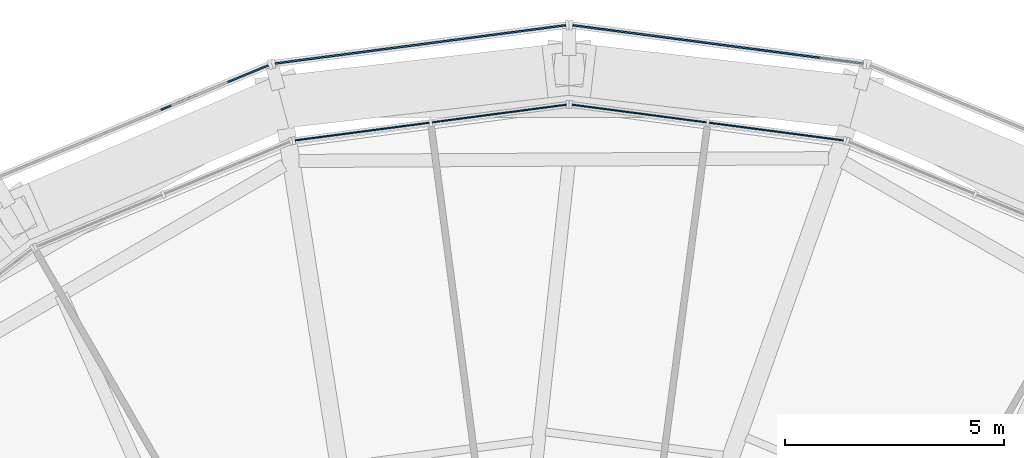
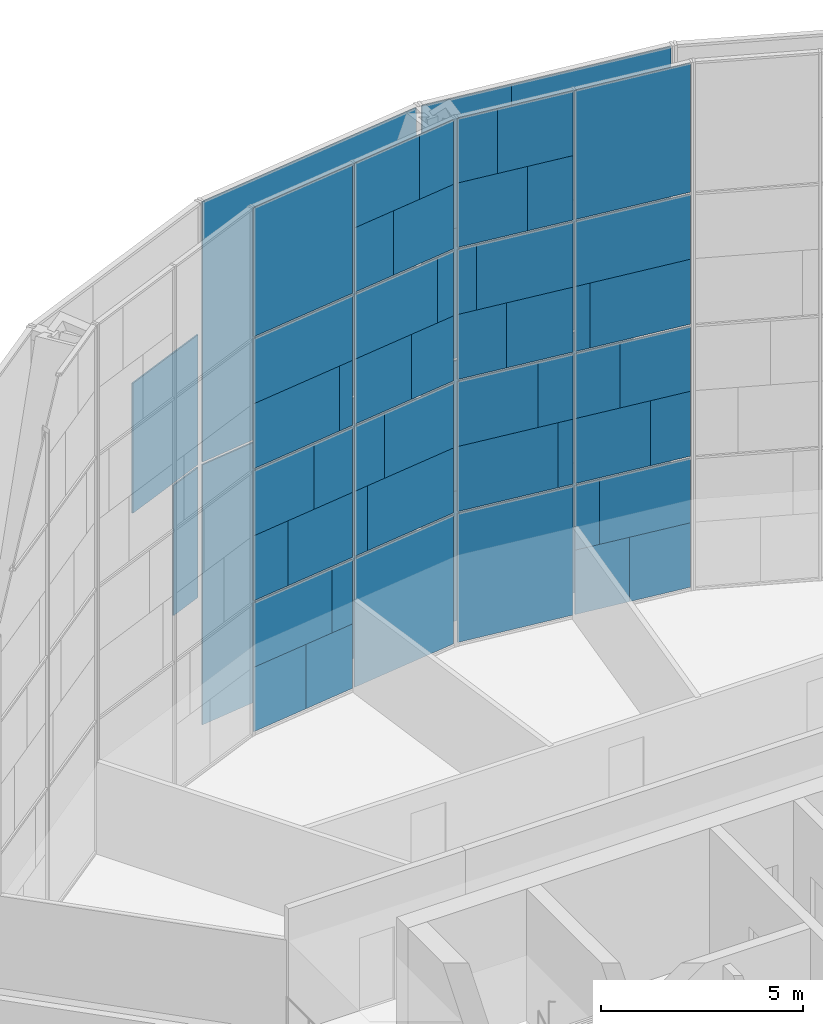
# One storey, part 22 of 28: 63 plates, 5 elements without a shape of their own.
"""IFC4 building model written with IfcOpenShell, lengths in metres."""

import ifcopenshell
import ifcopenshell.guid

model = None  # the IFC model being written
_history = None  # IfcOwnerHistory: only IFC2X3 demands one
_inside = {}  # id of a spatial element -> (the spatial element, [elements in it])
_under = {}  # id of a project, library or spatial element -> (it, [spatial elements below it])
_declared = {}  # id of a project -> (the project, [libraries it declares])
_typed = {}  # id of a type object -> (the type object, [elements of that type])
_made_of = {}  # id of a material, layer set ... -> (it, [elements and type objects made of it])


def new_model(schema):
    """Start an empty IFC model of exactly this schema.

    Asked for "IFC4X3", IfcOpenShell would pick the latest addendum, in which some entities
    have other attributes; the version numbers below select the first issue.
    IFC2X3 requires an IfcOwnerHistory on every rooted entity: one is made here for all.
    """
    global model, _history
    if schema == "IFC4X3":
        model = ifcopenshell.file(schema_version=(4, 3, 0, 0))
    else:
        model = ifcopenshell.file(schema=schema)
    _inside.clear()
    _under.clear()
    _declared.clear()
    _typed.clear()
    _made_of.clear()
    _history = None
    if model.schema == "IFC2X3":
        org = make("IfcOrganization", Name="unknown")
        user = make(
            "IfcPersonAndOrganization",
            ThePerson=make("IfcPerson", FamilyName="unknown"),
            TheOrganization=org,
        )
        app = make(
            "IfcApplication",
            ApplicationDeveloper=org,
            Version="unknown",
            ApplicationFullName="unknown",
            ApplicationIdentifier="unknown",
        )
        _history = make(
            "IfcOwnerHistory",
            OwningUser=user,
            OwningApplication=app,
            ChangeAction="ADDED",
            CreationDate=0,
        )
    return model


def make(cls, **values):
    """One entity of the class cls with the attributes given. An attribute that is None is left unset."""
    return model.create_entity(
        cls, **{name: value for name, value in values.items() if value is not None}
    )


def rooted(cls, **values):
    """An entity with a GlobalId (a new one), such as an element, a storey or a relation."""
    return make(cls, GlobalId=ifcopenshell.guid.new(), OwnerHistory=_history, **values)


def si_unit(unit_type, name, prefix=None):
    """IfcSIUnit, for example si_unit("LENGTHUNIT", "METRE", prefix="MILLI")."""
    return make("IfcSIUnit", UnitType=unit_type, Prefix=prefix, Name=name)


def assignment(units):
    """IfcUnitAssignment: the units of a project."""
    return None if units is None else make("IfcUnitAssignment", Units=units)


def point(xyz):
    """IfcCartesianPoint."""
    return None if xyz is None else make("IfcCartesianPoint", Coordinates=xyz)


def direction(xyz):
    """IfcDirection."""
    return None if xyz is None else make("IfcDirection", DirectionRatios=xyz)


def frame(location, z_axis=None, x_axis=None):
    """IfcAxis2Placement3D, a coordinate frame: its origin and axes. An axis left out is left unset."""
    return make(
        "IfcAxis2Placement3D",
        Location=point(location),
        Axis=direction(z_axis),
        RefDirection=direction(x_axis),
    )


def frame_2d(location, x_axis=None):
    """IfcAxis2Placement2D, a coordinate frame in the plane: its origin and x axis."""
    return make(
        "IfcAxis2Placement2D", Location=point(location), RefDirection=direction(x_axis)
    )


def origin():
    """The frame at (0, 0, 0) with its axes left unset."""
    return frame((0.0, 0.0, 0.0))


def origin_2d():
    """The frame at (0, 0) in the plane with its x axis left unset."""
    return frame_2d((0.0, 0.0))


def place(relative_to, where):
    """IfcLocalPlacement: puts the frame where relative to a parent placement (None: the world)."""
    return make(
        "IfcLocalPlacement", PlacementRelTo=relative_to, RelativePlacement=where
    )


def context(
    kind, dimensions, precision=None, world=None, true_north=None, identifier=None
):
    """IfcGeometricRepresentationContext, for example the 3D "Model" context."""
    return make(
        "IfcGeometricRepresentationContext",
        ContextIdentifier=identifier,
        ContextType=kind,
        CoordinateSpaceDimension=dimensions,
        Precision=precision,
        WorldCoordinateSystem=world,
        TrueNorth=true_north,
    )


def subcontext(parent, identifier, kind, view, scale=None):
    """IfcGeometricRepresentationSubContext, for example "Body" below "Model"."""
    return make(
        "IfcGeometricRepresentationSubContext",
        ContextIdentifier=identifier,
        ContextType=kind,
        ParentContext=parent,
        TargetScale=scale,
        TargetView=view,
    )


def project(units=None, contexts=None):
    """IfcProject with its units and contexts."""
    return rooted(
        "IfcProject",
        Name="project",
        RepresentationContexts=contexts,
        UnitsInContext=assignment(units),
    )


def spatial(cls, under=None, at=None, **own):
    """A site, building, storey or space (cls), placed at a placement, below another one or the project."""
    s = rooted(cls, ObjectPlacement=at, **own)
    if under is not None:
        _under.setdefault(under.id(), (under, []))[1].append(s)
    return s


def profile(cls, at=None, kind="AREA", **sizes):
    """A parametric profile (cls). Its sizes go by their IFC names, for example OverallWidth=200.0."""
    return make(cls, ProfileType=kind, Position=at, **sizes)


def rectangle(**sizes):
    """IfcRectangleProfileDef."""
    return profile("IfcRectangleProfileDef", **sizes)


def extrude(swept, where, along, depth):
    """IfcExtrudedAreaSolid: the profile swept, set in the frame where, extruded along a direction by depth."""
    return make(
        "IfcExtrudedAreaSolid",
        SweptArea=swept,
        Position=where,
        ExtrudedDirection=direction(along),
        Depth=depth,
    )


def shape(context_of_items, identifier, shape_type, items):
    """IfcShapeRepresentation: the items that make up one representation, for example the "Body"."""
    return make(
        "IfcShapeRepresentation",
        ContextOfItems=context_of_items,
        RepresentationIdentifier=identifier,
        RepresentationType=shape_type,
        Items=items,
    )


def material(Name=None, Category=None):
    """IfcMaterial."""
    return make("IfcMaterial", Name=Name, Category=Category)


def layer(
    of_material, thickness, ventilated=None, Name=None, Category=None, Priority=None
):
    """IfcMaterialLayer: one layer of a wall or slab, of a material (None: an air gap)."""
    return make(
        "IfcMaterialLayer",
        Material=of_material,
        LayerThickness=thickness,
        IsVentilated=ventilated,
        Name=Name,
        Category=Category,
        Priority=Priority,
    )


def layer_set(layers, Name=None):
    """IfcMaterialLayerSet."""
    return make("IfcMaterialLayerSet", MaterialLayers=layers, LayerSetName=Name)


def made_of(thing, what):
    """Note that an element or type object is made of a material, layer set ...; save() writes the relation."""
    if what is not None:
        _made_of.setdefault(what.id(), (what, []))[1].append(thing)
    return thing


def type_object(cls, material=None, **own):
    """A type object (cls), such as IfcWallType, which elements share."""
    return made_of(rooted(cls, **own), material)


def element(
    cls,
    number,
    at=None,
    inside=None,
    cuts=None,
    type_object=None,
    material=None,
    context=None,
    identifier="Body",
    shape_type=None,
    held_by="IfcProductDefinitionShape",
    body=None,
    shapes=None,
    **own,
):
    """One element of the class cls, such as IfcWall. Its Tag is "e" and its number.

    at: its placement. inside: the storey or other place that contains it. cuts: it is an
    opening in that element (IfcRelVoidsElement). A single representation is given by context,
    identifier, shape_type and body (its items); several are given by shapes. held_by: the class
    of the entity that holds the representations. save() writes the other relations.
    """
    e = rooted(cls, Tag="e%d" % number, ObjectPlacement=at, **own)
    if body is not None:
        shapes = [shape(context, identifier, shape_type, body)]
    if shapes is not None:
        e.Representation = make(held_by, Representations=shapes)
    if inside is not None:
        _inside.setdefault(inside.id(), (inside, []))[1].append(e)
    if cuts is not None:
        rooted(
            "IfcRelVoidsElement", RelatingBuildingElement=cuts, RelatedOpeningElement=e
        )
    if type_object is not None:
        _typed.setdefault(type_object.id(), (type_object, []))[1].append(e)
    return made_of(e, material)


def aggregate(whole, parts):
    """IfcRelAggregates: a whole, such as a stair, and the parts it consists of."""
    return rooted("IfcRelAggregates", RelatingObject=whole, RelatedObjects=parts)


def save(model, path):
    """Write the relations noted so far, then the file.

    IfcRelAggregates (storeys below a building ...), IfcRelContainedInSpatialStructure (elements
    in a storey), IfcRelDefinesByType, IfcRelAssociatesMaterial and IfcRelDeclares: one each for
    every whole, place, type object, material and project.
    """
    for whole, parts in _under.values():
        aggregate(whole, parts)
    for where, things in _inside.values():
        rooted(
            "IfcRelContainedInSpatialStructure",
            RelatedElements=things,
            RelatingStructure=where,
        )
    for kind, things in _typed.values():
        rooted("IfcRelDefinesByType", RelatedObjects=things, RelatingType=kind)
    for what, things in _made_of.values():
        rooted("IfcRelAssociatesMaterial", RelatedObjects=things, RelatingMaterial=what)
    for by, libraries in _declared.values():
        rooted("IfcRelDeclares", RelatingContext=by, RelatedDefinitions=libraries)
    model.write(path)


model = new_model("IFC4")

# Units and contexts
model_context = context("Model", 3, precision=1e-05, world=origin(), true_north=direction((0.0, 1.0)))
body_context = subcontext(model_context, "Body", "Model", "MODEL_VIEW")
ifc_project = project(units=[si_unit("LENGTHUNIT", "METRE"), si_unit("AREAUNIT", "SQUARE_METRE"), si_unit("VOLUMEUNIT", "CUBIC_METRE"), si_unit("PLANEANGLEUNIT", "RADIAN"), si_unit("MASSUNIT", "GRAM", prefix="KILO")], contexts=[model_context])

# Site, building, storey
site_placement = place(None, origin())
site = spatial("IfcSite", under=ifc_project, at=site_placement, CompositionType="ELEMENT")
building_placement = place(site_placement, origin())
building = spatial("IfcBuilding", under=site, at=building_placement, Name="Golbaran Civic Tower", CompositionType="ELEMENT")
storey_placement = place(building_placement, frame((0.0, 0.0, 134.0)))
storey = spatial("IfcBuildingStorey", under=building, at=storey_placement, Name="L32", CompositionType="ELEMENT", Elevation=134.0)

# Curtain wall, plates
ifc_material_1 = material(Name="Aluminium and glass", Category="aluminium")
curtain_wall_type_1 = type_object("IfcCurtainWallType", Name="INNER SKIN CURTAIN WALL", PredefinedType="NOTDEFINED", material=ifc_material_1)
curtain_wall_1_placement = place(storey_placement, origin())
curtain_wall_1 = element("IfcCurtainWall", 1, at=curtain_wall_1_placement, inside=storey, type_object=curtain_wall_type_1, Name="Inner skin L32 facet 6 CW1", ObjectType="INNER SKIN", PredefinedType="USERDEFINED")
ifc_material_2 = material(Name="Clear insulating glass", Category="glass")
ifc_layer_1 = layer(ifc_material_2, 0.031982421875, Name="Clear insulating glass")
ifc_layer_set_1 = layer_set([ifc_layer_1], Name="Clear insulating glass")
plate_type_1 = type_object("IfcPlateType", Name="INNER SKIN CURTAIN WALL GLAZED PANEL", PredefinedType="CURTAIN_PANEL", material=ifc_layer_set_1)
plate_1_placement = place(storey_placement, frame((3.91259765625, 23.909912109375, 0.06494140625), z_axis=(0.0, 0.0, 1.0), x_axis=(-0.991444861372, 0.130526192237, 0.0)))
plate_1 = element("IfcPlate", 2, at=plate_1_placement, type_object=plate_type_1, Name="CW1 panel 1.1 part 2", PredefinedType="CURTAIN_PANEL", context=body_context, shape_type="SweptSolid", body=[
    extrude(rectangle(XDim=1.45166015625, YDim=0.031982421875, at=origin_2d()), origin(), (0.0, 0.0, 1.0), 1.951171875),
])
plate_2_placement = place(storey_placement, frame((3.513671875, 23.96240234375, 2.016357421875), z_axis=(0.0, 0.0, 1.0), x_axis=(-0.991444861372, 0.130526192237, 0.0)))
plate_2 = element("IfcPlate", 3, at=plate_2_placement, type_object=plate_type_1, Name="CW1 panel 1.1 part 4", PredefinedType="CURTAIN_PANEL", context=body_context, shape_type="SweptSolid", body=[
    extrude(rectangle(XDim=0.646484375, YDim=0.031982421875, at=origin_2d()), origin(), (0.0, 0.0, 1.0), 1.951171875),
])
plate_3_placement = place(storey_placement, frame((5.725341796875, 23.671142578125, 4.03271484375), z_axis=(0.0, 0.0, 1.0), x_axis=(-0.991444861372, 0.130526192237, 0.0)))
plate_3 = element("IfcPlate", 4, at=plate_3_placement, type_object=plate_type_1, Name="CW1 panel 1.2 part 1", PredefinedType="CURTAIN_PANEL", context=body_context, shape_type="SweptSolid", body=[
    extrude(rectangle(XDim=1.072998046875, YDim=0.031982421875, at=origin_2d()), origin(), (0.0, 0.0, 1.0), 1.967529296875),
])
plate_4_placement = place(storey_placement, frame((5.32275390625, 23.724365234375, 6.0), z_axis=(0.0, 0.0, 1.0), x_axis=(-0.991444861372, 0.130526192237, 0.0)))
plate_4 = element("IfcPlate", 5, at=plate_4_placement, type_object=plate_type_1, Name="CW1 panel 1.2 part 3", PredefinedType="CURTAIN_PANEL", context=body_context, shape_type="SweptSolid", body=[
    extrude(rectangle(XDim=1.885009765625, YDim=0.031982421875, at=origin_2d()), origin(), (0.0, 0.0, 1.0), 1.967529296875),
])
plate_5_placement = place(storey_placement, frame((4.92431640625, 23.776611328125, 8.03271484375), z_axis=(0.0, 0.0, 1.0), x_axis=(-0.991444861372, 0.130526192237, 0.0)))
plate_5 = element("IfcPlate", 6, at=plate_5_placement, type_object=plate_type_1, Name="CW1 panel 1.3 part 1", PredefinedType="CURTAIN_PANEL", context=body_context, shape_type="SweptSolid", body=[
    extrude(rectangle(XDim=2.68896484375, YDim=0.031982421875, at=origin_2d()), origin(), (0.0, 0.0, 1.0), 1.967529296875),
])
plate_6_placement = place(storey_placement, frame((4.72509765625, 23.802978515625, 10.0), z_axis=(0.0, 0.0, 1.0), x_axis=(-0.991444861372, 0.130526192237, 0.0)))
plate_6 = element("IfcPlate", 7, at=plate_6_placement, type_object=plate_type_1, Name="CW1 panel 1.3 part 3", PredefinedType="CURTAIN_PANEL", context=body_context, shape_type="SweptSolid", body=[
    extrude(rectangle(XDim=3.090576171875, YDim=0.031982421875, at=origin_2d()), origin(), (0.0, 0.0, 1.0), 1.967529296875),
])
plate_7_placement = place(storey_placement, frame((4.72509765625, 23.802978515625, 12.0322265625), z_axis=(0.0, 0.0, 1.0), x_axis=(-0.991444861372, 0.130526192237, 0.0)))
plate_7 = element("IfcPlate", 8, at=plate_7_placement, type_object=plate_type_1, Name="CW1 panel 1.4", PredefinedType="CURTAIN_PANEL", context=body_context, shape_type="SweptSolid", body=[
    extrude(rectangle(XDim=3.090576171875, YDim=0.031982421875, at=origin_2d()), origin(), (0.0, 0.0, 1.0), 3.902587890625),
])
plate_8_placement = place(storey_placement, frame((1.596435546875, 24.21484375, 0.06494140625), z_axis=(0.0, 0.0, 1.0), x_axis=(-0.991444861372, 0.130526192237, 0.0)))
plate_8 = element("IfcPlate", 9, at=plate_8_placement, type_object=plate_type_1, Name="CW1 panel 2.1", PredefinedType="CURTAIN_PANEL", context=body_context, shape_type="SweptSolid", body=[
    extrude(rectangle(XDim=3.090576171875, YDim=0.031982421875, at=origin_2d()), origin(), (0.0, 0.0, 1.0), 3.902587890625),
])
plate_9_placement = place(storey_placement, frame((1.397705078125, 24.240966796875, 4.03271484375), z_axis=(0.0, 0.0, 1.0), x_axis=(-0.991444861372, 0.130526192237, 0.0)))
plate_9 = element("IfcPlate", 10, at=plate_9_placement, type_object=plate_type_1, Name="CW1 panel 2.2 part 2", PredefinedType="CURTAIN_PANEL", context=body_context, shape_type="SweptSolid", body=[
    extrude(rectangle(XDim=2.689697265625, YDim=0.031982421875, at=origin_2d()), origin(), (0.0, 0.0, 1.0), 1.967529296875),
])
plate_10_placement = place(storey_placement, frame((1.131103515625, 24.276123046875, 6.0), z_axis=(0.0, 0.0, 1.0), x_axis=(-0.991444861372, 0.130526192237, 0.0)))
plate_10 = element("IfcPlate", 11, at=plate_10_placement, type_object=plate_type_1, Name="CW1 panel 2.2 part 4", PredefinedType="CURTAIN_PANEL", context=body_context, shape_type="SweptSolid", body=[
    extrude(rectangle(XDim=2.151611328125, YDim=0.031982421875, at=origin_2d()), origin(), (0.0, 0.0, 1.0), 1.967529296875),
])
plate_11_placement = place(storey_placement, frame((0.715087890625, 24.330810546875, 8.03271484375), z_axis=(0.0, 0.0, 1.0), x_axis=(-0.991444861372, 0.130526192237, 0.0)))
plate_11 = element("IfcPlate", 12, at=plate_11_placement, type_object=plate_type_1, Name="CW1 panel 2.3 part 2", PredefinedType="CURTAIN_PANEL", context=body_context, shape_type="SweptSolid", body=[
    extrude(rectangle(XDim=1.3125, YDim=0.031982421875, at=origin_2d()), origin(), (0.0, 0.0, 1.0), 1.967529296875),
])
plate_12_placement = place(storey_placement, frame((0.31298828125, 24.3837890625, 10.0), z_axis=(0.0, 0.0, 1.0), x_axis=(-0.991444861372, 0.130526192237, 0.0)))
plate_12 = element("IfcPlate", 13, at=plate_12_placement, type_object=plate_type_1, Name="CW1 panel 2.3 part 4", PredefinedType="CURTAIN_PANEL", context=body_context, shape_type="SweptSolid", body=[
    extrude(rectangle(XDim=0.501708984375, YDim=0.031982421875, at=origin_2d()), origin(), (0.0, 0.0, 1.0), 1.967529296875),
])
plate_13_placement = place(storey_placement, frame((2.52490234375, 24.092529296875, 12.032470703125), z_axis=(0.0, 0.0, 1.0), x_axis=(-0.991444861372, 0.130526192237, 0.0)))
plate_13 = element("IfcPlate", 14, at=plate_13_placement, type_object=plate_type_1, Name="CW1 panel 2.4 part 1", PredefinedType="CURTAIN_PANEL", context=body_context, shape_type="SweptSolid", body=[
    extrude(rectangle(XDim=1.218017578125, YDim=0.031982421875, at=origin_2d()), origin(), (0.0, 0.0, 1.0), 1.951171875),
])
plate_14_placement = place(storey_placement, frame((2.125732421875, 24.14501953125, 13.98388671875), z_axis=(0.0, 0.0, 1.0), x_axis=(-0.991444861372, 0.130526192237, 0.0)))
plate_14 = element("IfcPlate", 15, at=plate_14_placement, type_object=plate_type_1, Name="CW1 panel 2.4 part 3", PredefinedType="CURTAIN_PANEL", context=body_context, shape_type="SweptSolid", body=[
    extrude(rectangle(XDim=2.02294921875, YDim=0.031982421875, at=origin_2d()), origin(), (0.0, 0.0, 1.0), 1.951171875),
])

curtain_wall_2_placement = place(storey_placement, origin())
curtain_wall_2 = element("IfcCurtainWall", 16, at=curtain_wall_2_placement, inside=storey, type_object=curtain_wall_type_1, Name="Inner skin L32 facet 7 CW1", ObjectType="INNER SKIN", PredefinedType="USERDEFINED")
plate_15_placement = place(storey_placement, frame((-1.596435546875, 24.21484375, 0.06494140625), z_axis=(0.0, 0.0, 1.0), x_axis=(-0.991444861372, -0.130526192237, 0.0)))
plate_15 = element("IfcPlate", 17, at=plate_15_placement, type_object=plate_type_1, Name="CW1 panel 1.1", PredefinedType="CURTAIN_PANEL", context=body_context, shape_type="SweptSolid", body=[
    extrude(rectangle(XDim=3.090576171875, YDim=0.031982421875, at=origin_2d()), origin(), (0.0, 0.0, 1.0), 3.902587890625),
])
plate_16_placement = place(storey_placement, frame((-1.3974609375, 24.240966796875, 4.03271484375), z_axis=(0.0, 0.0, 1.0), x_axis=(-0.991444861372, -0.130526192237, 0.0)))
plate_16 = element("IfcPlate", 18, at=plate_16_placement, type_object=plate_type_1, Name="CW1 panel 1.2 part 1", PredefinedType="CURTAIN_PANEL", context=body_context, shape_type="SweptSolid", body=[
    extrude(rectangle(XDim=2.68896484375, YDim=0.031982421875, at=origin_2d()), origin(), (0.0, 0.0, 1.0), 1.967529296875),
])
plate_17_placement = place(storey_placement, frame((-1.130859375, 24.276123046875, 6.0), z_axis=(0.0, 0.0, 1.0), x_axis=(-0.991444861372, -0.130526192237, 0.0)))
plate_17 = element("IfcPlate", 19, at=plate_17_placement, type_object=plate_type_1, Name="CW1 panel 1.2 part 3", PredefinedType="CURTAIN_PANEL", context=body_context, shape_type="SweptSolid", body=[
    extrude(rectangle(XDim=2.15087890625, YDim=0.031982421875, at=origin_2d()), origin(), (0.0, 0.0, 1.0), 1.967529296875),
])
plate_18_placement = place(storey_placement, frame((-0.71533203125, 24.330810546875, 8.03271484375), z_axis=(0.0, 0.0, 1.0), x_axis=(-0.991444861372, -0.130526192237, 0.0)))
plate_18 = element("IfcPlate", 20, at=plate_18_placement, type_object=plate_type_1, Name="CW1 panel 1.3 part 1", PredefinedType="CURTAIN_PANEL", context=body_context, shape_type="SweptSolid", body=[
    extrude(rectangle(XDim=1.31298828125, YDim=0.031982421875, at=origin_2d()), origin(), (0.0, 0.0, 1.0), 1.967529296875),
])
plate_19_placement = place(storey_placement, frame((-0.312744140625, 24.3837890625, 10.0), z_axis=(0.0, 0.0, 1.0), x_axis=(-0.991444861372, -0.130526192237, 0.0)))
plate_19 = element("IfcPlate", 21, at=plate_19_placement, type_object=plate_type_1, Name="CW1 panel 1.3 part 3", PredefinedType="CURTAIN_PANEL", context=body_context, shape_type="SweptSolid", body=[
    extrude(rectangle(XDim=0.5009765625, YDim=0.031982421875, at=origin_2d()), origin(), (0.0, 0.0, 1.0), 1.967529296875),
])
plate_20_placement = place(storey_placement, frame((-2.5244140625, 24.092529296875, 12.032470703125), z_axis=(0.0, 0.0, 1.0), x_axis=(-0.991444861372, -0.130526192237, 0.0)))
plate_20 = element("IfcPlate", 22, at=plate_20_placement, type_object=plate_type_1, Name="CW1 panel 1.4 part 2", PredefinedType="CURTAIN_PANEL", context=body_context, shape_type="SweptSolid", body=[
    extrude(rectangle(XDim=1.218505859375, YDim=0.031982421875, at=origin_2d()), origin(), (0.0, 0.0, 1.0), 1.951171875),
])
plate_21_placement = place(storey_placement, frame((-2.12548828125, 24.145263671875, 13.98388671875), z_axis=(0.0, 0.0, 1.0), x_axis=(-0.991444861372, -0.130526192237, 0.0)))
plate_21 = element("IfcPlate", 23, at=plate_21_placement, type_object=plate_type_1, Name="CW1 panel 1.4 part 4", PredefinedType="CURTAIN_PANEL", context=body_context, shape_type="SweptSolid", body=[
    extrude(rectangle(XDim=2.023681640625, YDim=0.031982421875, at=origin_2d()), origin(), (0.0, 0.0, 1.0), 1.951171875),
])
plate_22_placement = place(storey_placement, frame((-3.912353515625, 23.909912109375, 0.06494140625), z_axis=(0.0, 0.0, 1.0), x_axis=(-0.991444861372, -0.130526192237, 0.0)))
plate_22 = element("IfcPlate", 24, at=plate_22_placement, type_object=plate_type_1, Name="CW1 panel 2.1 part 1", PredefinedType="CURTAIN_PANEL", context=body_context, shape_type="SweptSolid", body=[
    extrude(rectangle(XDim=1.450927734375, YDim=0.031982421875, at=origin_2d()), origin(), (0.0, 0.0, 1.0), 1.951171875),
])
plate_23_placement = place(storey_placement, frame((-3.51318359375, 23.96240234375, 2.016357421875), z_axis=(0.0, 0.0, 1.0), x_axis=(-0.991444861372, -0.130526192237, 0.0)))
plate_23 = element("IfcPlate", 25, at=plate_23_placement, type_object=plate_type_1, Name="CW1 panel 2.1 part 3", PredefinedType="CURTAIN_PANEL", context=body_context, shape_type="SweptSolid", body=[
    extrude(rectangle(XDim=0.64599609375, YDim=0.031982421875, at=origin_2d()), origin(), (0.0, 0.0, 1.0), 1.951171875),
])
plate_24_placement = place(storey_placement, frame((-5.72509765625, 23.67138671875, 4.03271484375), z_axis=(0.0, 0.0, 1.0), x_axis=(-0.991444861372, -0.130526192237, 0.0)))
plate_24 = element("IfcPlate", 26, at=plate_24_placement, type_object=plate_type_1, Name="CW1 panel 2.2 part 2", PredefinedType="CURTAIN_PANEL", context=body_context, shape_type="SweptSolid", body=[
    extrude(rectangle(XDim=1.073486328125, YDim=0.031982421875, at=origin_2d()), origin(), (0.0, 0.0, 1.0), 1.967529296875),
])
plate_25_placement = place(storey_placement, frame((-5.322998046875, 23.72412109375, 6.0), z_axis=(0.0, 0.0, 1.0), x_axis=(-0.991444861372, -0.130526192237, 0.0)))
plate_25 = element("IfcPlate", 27, at=plate_25_placement, type_object=plate_type_1, Name="CW1 panel 2.2 part 4", PredefinedType="CURTAIN_PANEL", context=body_context, shape_type="SweptSolid", body=[
    extrude(rectangle(XDim=1.884521484375, YDim=0.031982421875, at=origin_2d()), origin(), (0.0, 0.0, 1.0), 1.967529296875),
])
plate_26_placement = place(storey_placement, frame((-4.923828125, 23.77685546875, 8.03271484375), z_axis=(0.0, 0.0, 1.0), x_axis=(-0.991444861372, -0.130526192237, 0.0)))
plate_26 = element("IfcPlate", 28, at=plate_26_placement, type_object=plate_type_1, Name="CW1 panel 2.3 part 2", PredefinedType="CURTAIN_PANEL", context=body_context, shape_type="SweptSolid", body=[
    extrude(rectangle(XDim=2.689697265625, YDim=0.031982421875, at=origin_2d()), origin(), (0.0, 0.0, 1.0), 1.967529296875),
])
plate_27_placement = place(storey_placement, frame((-4.72509765625, 23.802978515625, 10.0), z_axis=(0.0, 0.0, 1.0), x_axis=(-0.991444861372, -0.130526192237, 0.0)))
plate_27 = element("IfcPlate", 29, at=plate_27_placement, type_object=plate_type_1, Name="CW1 panel 2.3 part 3", PredefinedType="CURTAIN_PANEL", context=body_context, shape_type="SweptSolid", body=[
    extrude(rectangle(XDim=3.090576171875, YDim=0.031982421875, at=origin_2d()), origin(), (0.0, 0.0, 1.0), 1.967529296875),
])
plate_28_placement = place(storey_placement, frame((-4.72509765625, 23.802978515625, 12.0322265625), z_axis=(0.0, 0.0, 1.0), x_axis=(-0.991444861372, -0.130526192237, 0.0)))
plate_28 = element("IfcPlate", 30, at=plate_28_placement, type_object=plate_type_1, Name="CW1 panel 2.4", PredefinedType="CURTAIN_PANEL", context=body_context, shape_type="SweptSolid", body=[
    extrude(rectangle(XDim=3.090576171875, YDim=0.031982421875, at=origin_2d()), origin(), (0.0, 0.0, 1.0), 3.902587890625),
])

# Plate
ifc_material_3 = material(Name="Aluminium faced opaque infill panel", Category="aluminium")
ifc_layer_2 = layer(ifc_material_3, 0.031982421875, Name="Aluminium faced opaque infill panel")
ifc_layer_set_2 = layer_set([ifc_layer_2], Name="Aluminium faced opaque infill panel")
plate_type_2 = type_object("IfcPlateType", Name="INNER SKIN CURTAIN WALL OPAQUE INFILL PANEL", PredefinedType="CURTAIN_PANEL", material=ifc_layer_set_2)
plate_29_placement = place(storey_placement, frame((5.44482421875, 23.708251953125, 0.06494140625), z_axis=(0.0, 0.0, 1.0), x_axis=(-0.991444861372, 0.130526192237, 0.0)))
plate_29 = element("IfcPlate", 31, at=plate_29_placement, type_object=plate_type_2, Name="CW1 infill panel 1.1 part 1", PredefinedType="CURTAIN_PANEL", context=body_context, shape_type="SweptSolid", body=[
    extrude(rectangle(XDim=1.638916015625, YDim=0.031982421875, at=origin_2d()), origin(), (0.0, 0.0, 1.0), 1.951171875),
])

plate_30_placement = place(storey_placement, frame((5.045654296875, 23.7607421875, 2.016357421875), z_axis=(0.0, 0.0, 1.0), x_axis=(-0.991444861372, 0.130526192237, 0.0)))
plate_30 = element("IfcPlate", 32, at=plate_30_placement, type_object=plate_type_2, Name="CW1 infill panel 1.1 part 3", PredefinedType="CURTAIN_PANEL", context=body_context, shape_type="SweptSolid", body=[
    extrude(rectangle(XDim=2.444091796875, YDim=0.031982421875, at=origin_2d()), origin(), (0.0, 0.0, 1.0), 1.951171875),
])

plate_31_placement = place(storey_placement, frame((4.193115234375, 23.873046875, 4.03271484375), z_axis=(0.0, 0.0, 1.0), x_axis=(-0.991444861372, 0.130526192237, 0.0)))
plate_31 = element("IfcPlate", 33, at=plate_31_placement, type_object=plate_type_2, Name="CW1 infill panel 1.2 part 2", PredefinedType="CURTAIN_PANEL", context=body_context, shape_type="SweptSolid", body=[
    extrude(rectangle(XDim=2.017578125, YDim=0.031982421875, at=origin_2d()), origin(), (0.0, 0.0, 1.0), 1.967529296875),
])

plate_32_placement = place(storey_placement, frame((3.790771484375, 23.926025390625, 6.0), z_axis=(0.0, 0.0, 1.0), x_axis=(-0.991444861372, 0.130526192237, 0.0)))
plate_32 = element("IfcPlate", 34, at=plate_32_placement, type_object=plate_type_2, Name="CW1 infill panel 1.2 part 4", PredefinedType="CURTAIN_PANEL", context=body_context, shape_type="SweptSolid", body=[
    extrude(rectangle(XDim=1.20556640625, YDim=0.031982421875, at=origin_2d()), origin(), (0.0, 0.0, 1.0), 1.967529296875),
])

plate_33_placement = place(storey_placement, frame((3.39208984375, 23.978515625, 8.03271484375), z_axis=(0.0, 0.0, 1.0), x_axis=(-0.991444861372, 0.130526192237, 0.0)))
plate_33 = element("IfcPlate", 35, at=plate_33_placement, type_object=plate_type_2, Name="CW1 infill panel 1.3 part 2", PredefinedType="CURTAIN_PANEL", context=body_context, shape_type="SweptSolid", body=[
    extrude(rectangle(XDim=0.401611328125, YDim=0.031982421875, at=origin_2d()), origin(), (0.0, 0.0, 1.0), 1.967529296875),
])

plate_34_placement = place(storey_placement, frame((2.929931640625, 24.039306640625, 4.03271484375), z_axis=(0.0, 0.0, 1.0), x_axis=(-0.991444861372, 0.130526192237, 0.0)))
plate_34 = element("IfcPlate", 36, at=plate_34_placement, type_object=plate_type_2, Name="CW1 infill panel 2.2 part 1", PredefinedType="CURTAIN_PANEL", context=body_context, shape_type="SweptSolid", body=[
    extrude(rectangle(XDim=0.40087890625, YDim=0.031982421875, at=origin_2d()), origin(), (0.0, 0.0, 1.0), 1.967529296875),
])

plate_35_placement = place(storey_placement, frame((2.6630859375, 24.074462890625, 6.0), z_axis=(0.0, 0.0, 1.0), x_axis=(-0.991444861372, 0.130526192237, 0.0)))
plate_35 = element("IfcPlate", 37, at=plate_35_placement, type_object=plate_type_2, Name="CW1 infill panel 2.2 part 3", PredefinedType="CURTAIN_PANEL", context=body_context, shape_type="SweptSolid", body=[
    extrude(rectangle(XDim=0.93896484375, YDim=0.031982421875, at=origin_2d()), origin(), (0.0, 0.0, 1.0), 1.967529296875),
])

plate_36_placement = place(storey_placement, frame((2.247314453125, 24.129150390625, 8.03271484375), z_axis=(0.0, 0.0, 1.0), x_axis=(-0.991444861372, 0.130526192237, 0.0)))
plate_36 = element("IfcPlate", 38, at=plate_36_placement, type_object=plate_type_2, Name="CW1 infill panel 2.3 part 1", PredefinedType="CURTAIN_PANEL", context=body_context, shape_type="SweptSolid", body=[
    extrude(rectangle(XDim=1.778076171875, YDim=0.031982421875, at=origin_2d()), origin(), (0.0, 0.0, 1.0), 1.967529296875),
])

plate_37_placement = place(storey_placement, frame((1.84521484375, 24.18212890625, 10.0), z_axis=(0.0, 0.0, 1.0), x_axis=(-0.991444861372, 0.130526192237, 0.0)))
plate_37 = element("IfcPlate", 39, at=plate_37_placement, type_object=plate_type_2, Name="CW1 infill panel 2.3 part 3", PredefinedType="CURTAIN_PANEL", context=body_context, shape_type="SweptSolid", body=[
    extrude(rectangle(XDim=2.589111328125, YDim=0.031982421875, at=origin_2d()), origin(), (0.0, 0.0, 1.0), 1.967529296875),
])

plate_38_placement = place(storey_placement, frame((0.99267578125, 24.294189453125, 12.032470703125), z_axis=(0.0, 0.0, 1.0), x_axis=(-0.991444861372, 0.130526192237, 0.0)))
plate_38 = element("IfcPlate", 40, at=plate_38_placement, type_object=plate_type_2, Name="CW1 infill panel 2.4 part 2", PredefinedType="CURTAIN_PANEL", context=body_context, shape_type="SweptSolid", body=[
    extrude(rectangle(XDim=1.87255859375, YDim=0.031982421875, at=origin_2d()), origin(), (0.0, 0.0, 1.0), 1.951171875),
])

plate_39_placement = place(storey_placement, frame((0.59375, 24.346923828125, 13.98388671875), z_axis=(0.0, 0.0, 1.0), x_axis=(-0.991444861372, 0.130526192237, 0.0)))
plate_39 = element("IfcPlate", 41, at=plate_39_placement, type_object=plate_type_2, Name="CW1 infill panel 2.4 part 4", PredefinedType="CURTAIN_PANEL", context=body_context, shape_type="SweptSolid", body=[
    extrude(rectangle(XDim=1.067626953125, YDim=0.031982421875, at=origin_2d()), origin(), (0.0, 0.0, 1.0), 1.951171875),
])

aggregate(curtain_wall_1, [plate_29, plate_1, plate_30, plate_2, plate_3, plate_31, plate_4, plate_32, plate_5, plate_33, plate_6, plate_7, plate_8, plate_34, plate_9, plate_35, plate_10, plate_36, plate_11, plate_37, plate_12, plate_13, plate_38, plate_14, plate_39])

plate_40_placement = place(storey_placement, frame((-2.929443359375, 24.039306640625, 4.03271484375), z_axis=(0.0, 0.0, 1.0), x_axis=(-0.991444861372, -0.130526192237, 0.0)))
plate_40 = element("IfcPlate", 42, at=plate_40_placement, type_object=plate_type_2, Name="CW1 infill panel 1.2 part 2", PredefinedType="CURTAIN_PANEL", context=body_context, shape_type="SweptSolid", body=[
    extrude(rectangle(XDim=0.401611328125, YDim=0.031982421875, at=origin_2d()), origin(), (0.0, 0.0, 1.0), 1.967529296875),
])

plate_41_placement = place(storey_placement, frame((-2.662841796875, 24.074462890625, 6.0), z_axis=(0.0, 0.0, 1.0), x_axis=(-0.991444861372, -0.130526192237, 0.0)))
plate_41 = element("IfcPlate", 43, at=plate_41_placement, type_object=plate_type_2, Name="CW1 infill panel 1.2 part 4", PredefinedType="CURTAIN_PANEL", context=body_context, shape_type="SweptSolid", body=[
    extrude(rectangle(XDim=0.939697265625, YDim=0.031982421875, at=origin_2d()), origin(), (0.0, 0.0, 1.0), 1.967529296875),
])

plate_42_placement = place(storey_placement, frame((-2.247314453125, 24.129150390625, 8.03271484375), z_axis=(0.0, 0.0, 1.0), x_axis=(-0.991444861372, -0.130526192237, 0.0)))
plate_42 = element("IfcPlate", 44, at=plate_42_placement, type_object=plate_type_2, Name="CW1 infill panel 1.3 part 2", PredefinedType="CURTAIN_PANEL", context=body_context, shape_type="SweptSolid", body=[
    extrude(rectangle(XDim=1.777587890625, YDim=0.031982421875, at=origin_2d()), origin(), (0.0, 0.0, 1.0), 1.967529296875),
])

plate_43_placement = place(storey_placement, frame((-1.844970703125, 24.18212890625, 10.0), z_axis=(0.0, 0.0, 1.0), x_axis=(-0.991444861372, -0.130526192237, 0.0)))
plate_43 = element("IfcPlate", 45, at=plate_43_placement, type_object=plate_type_2, Name="CW1 infill panel 1.3 part 4", PredefinedType="CURTAIN_PANEL", context=body_context, shape_type="SweptSolid", body=[
    extrude(rectangle(XDim=2.589599609375, YDim=0.031982421875, at=origin_2d()), origin(), (0.0, 0.0, 1.0), 1.967529296875),
])

plate_44_placement = place(storey_placement, frame((-0.992431640625, 24.29443359375, 12.032470703125), z_axis=(0.0, 0.0, 1.0), x_axis=(-0.991444861372, -0.130526192237, 0.0)))
plate_44 = element("IfcPlate", 46, at=plate_44_placement, type_object=plate_type_2, Name="CW1 infill panel 1.4 part 1", PredefinedType="CURTAIN_PANEL", context=body_context, shape_type="SweptSolid", body=[
    extrude(rectangle(XDim=1.8720703125, YDim=0.031982421875, at=origin_2d()), origin(), (0.0, 0.0, 1.0), 1.951171875),
])

plate_45_placement = place(storey_placement, frame((-0.59326171875, 24.346923828125, 13.98388671875), z_axis=(0.0, 0.0, 1.0), x_axis=(-0.991444861372, -0.130526192237, 0.0)))
plate_45 = element("IfcPlate", 47, at=plate_45_placement, type_object=plate_type_2, Name="CW1 infill panel 1.4 part 3", PredefinedType="CURTAIN_PANEL", context=body_context, shape_type="SweptSolid", body=[
    extrude(rectangle(XDim=1.06689453125, YDim=0.031982421875, at=origin_2d()), origin(), (0.0, 0.0, 1.0), 1.951171875),
])

plate_46_placement = place(storey_placement, frame((-5.4443359375, 23.708251953125, 0.06494140625), z_axis=(0.0, 0.0, 1.0), x_axis=(-0.991444861372, -0.130526192237, 0.0)))
plate_46 = element("IfcPlate", 48, at=plate_46_placement, type_object=plate_type_2, Name="CW1 infill panel 2.1 part 2", PredefinedType="CURTAIN_PANEL", context=body_context, shape_type="SweptSolid", body=[
    extrude(rectangle(XDim=1.6396484375, YDim=0.031982421875, at=origin_2d()), origin(), (0.0, 0.0, 1.0), 1.951171875),
])

plate_47_placement = place(storey_placement, frame((-5.04541015625, 23.7607421875, 2.016357421875), z_axis=(0.0, 0.0, 1.0), x_axis=(-0.991444861372, -0.130526192237, 0.0)))
plate_47 = element("IfcPlate", 49, at=plate_47_placement, type_object=plate_type_2, Name="CW1 infill panel 2.1 part 4", PredefinedType="CURTAIN_PANEL", context=body_context, shape_type="SweptSolid", body=[
    extrude(rectangle(XDim=2.444580078125, YDim=0.031982421875, at=origin_2d()), origin(), (0.0, 0.0, 1.0), 1.951171875),
])

plate_48_placement = place(storey_placement, frame((-4.19287109375, 23.873046875, 4.03271484375), z_axis=(0.0, 0.0, 1.0), x_axis=(-0.991444861372, -0.130526192237, 0.0)))
plate_48 = element("IfcPlate", 50, at=plate_48_placement, type_object=plate_type_2, Name="CW1 infill panel 2.2 part 1", PredefinedType="CURTAIN_PANEL", context=body_context, shape_type="SweptSolid", body=[
    extrude(rectangle(XDim=2.01708984375, YDim=0.031982421875, at=origin_2d()), origin(), (0.0, 0.0, 1.0), 1.967529296875),
])

plate_49_placement = place(storey_placement, frame((-3.790771484375, 23.926025390625, 6.0), z_axis=(0.0, 0.0, 1.0), x_axis=(-0.991444861372, -0.130526192237, 0.0)))
plate_49 = element("IfcPlate", 51, at=plate_49_placement, type_object=plate_type_2, Name="CW1 infill panel 2.2 part 3", PredefinedType="CURTAIN_PANEL", context=body_context, shape_type="SweptSolid", body=[
    extrude(rectangle(XDim=1.2060546875, YDim=0.031982421875, at=origin_2d()), origin(), (0.0, 0.0, 1.0), 1.967529296875),
])

plate_50_placement = place(storey_placement, frame((-3.391845703125, 23.978515625, 8.03271484375), z_axis=(0.0, 0.0, 1.0), x_axis=(-0.991444861372, -0.130526192237, 0.0)))
plate_50 = element("IfcPlate", 52, at=plate_50_placement, type_object=plate_type_2, Name="CW1 infill panel 2.3 part 1", PredefinedType="CURTAIN_PANEL", context=body_context, shape_type="SweptSolid", body=[
    extrude(rectangle(XDim=0.40087890625, YDim=0.031982421875, at=origin_2d()), origin(), (0.0, 0.0, 1.0), 1.967529296875),
])

aggregate(curtain_wall_2, [plate_15, plate_16, plate_40, plate_17, plate_41, plate_18, plate_42, plate_19, plate_43, plate_44, plate_20, plate_45, plate_21, plate_22, plate_46, plate_23, plate_47, plate_48, plate_24, plate_49, plate_25, plate_50, plate_26, plate_27, plate_28])

# Curtain wall, plates
curtain_wall_type_2 = type_object("IfcCurtainWallType", Name="OUTER SKIN TERRACOTTA SCREEN", PredefinedType="NOTDEFINED", material=ifc_material_1)
curtain_wall_3_placement = place(storey_placement, origin())
curtain_wall_3 = element("IfcCurtainWall", 53, at=curtain_wall_3_placement, inside=storey, type_object=curtain_wall_type_2, Name="Outer skin L32 facet 6 CW3", ObjectType="OUTER SKIN", PredefinedType="USERDEFINED")
ifc_material_4 = material(Name="Clear laminated glass", Category="glass")
ifc_layer_3 = layer(ifc_material_4, 0.0400390625, Name="Clear laminated glass")
ifc_layer_set_3 = layer_set([ifc_layer_3], Name="Clear laminated glass")
plate_type_3 = type_object("IfcPlateType", Name="OUTER SKIN CLEAR GLASS PANEL", PredefinedType="CURTAIN_PANEL", material=ifc_layer_set_3)
plate_51_placement = place(storey_placement, frame((2.20849609375, 25.94921875, -0.6298828125), z_axis=(0.0, 0.0, 1.0), x_axis=(-0.991444861376, 0.130526192203, 0.0)))
plate_51 = element("IfcPlate", 54, at=plate_51_placement, type_object=plate_type_3, Name="CW3 panel 1.1 part 2", PredefinedType="CURTAIN_PANEL", context=body_context, shape_type="SweptSolid", body=[
    extrude(rectangle(XDim=4.294921875, YDim=0.0400390625, at=origin_2d()), origin(), (0.0, 0.0, 1.0), 3.93994140625),
])
plate_52_placement = place(storey_placement, frame((1.40234375, 26.055419921875, 3.31005859375), z_axis=(0.0, 0.0, 1.0), x_axis=(-0.991444861376, 0.130526192203, 0.0)))
plate_52 = element("IfcPlate", 55, at=plate_52_placement, type_object=plate_type_3, Name="CW3 panel 1.1 part 5", PredefinedType="CURTAIN_PANEL", context=body_context, shape_type="SweptSolid", body=[
    extrude(rectangle(XDim=2.6689453125, YDim=0.0400390625, at=origin_2d()), origin(), (0.0, 0.0, 1.0), 3.93994140625),
])
plate_53_placement = place(storey_placement, frame((5.3955078125, 25.52978515625, 7.330078125), z_axis=(0.0, 0.0, 1.0), x_axis=(-0.991444861376, 0.130526192203, 0.0)))
plate_53 = element("IfcPlate", 56, at=plate_53_placement, type_object=plate_type_3, Name="CW3 panel 1.2 part 1", PredefinedType="CURTAIN_PANEL", context=body_context, shape_type="SweptSolid", body=[
    extrude(rectangle(XDim=2.656005859375, YDim=0.0400390625, at=origin_2d()), origin(), (0.0, 0.0, 1.0), 3.93994140625),
])
plate_54_placement = place(storey_placement, frame((0.58056640625, 26.16357421875, 7.330078125), z_axis=(0.0, 0.0, 1.0), x_axis=(-0.991444861376, 0.130526192203, 0.0)))
plate_54 = element("IfcPlate", 57, at=plate_54_placement, type_object=plate_type_3, Name="CW3 panel 1.2 part 3", PredefinedType="CURTAIN_PANEL", context=body_context, shape_type="SweptSolid", body=[
    extrude(rectangle(XDim=1.010986328125, YDim=0.0400390625, at=origin_2d()), origin(), (0.0, 0.0, 1.0), 3.93994140625),
])
plate_55_placement = place(storey_placement, frame((4.58935546875, 25.6357421875, 11.27001953125), z_axis=(0.0, 0.0, 1.0), x_axis=(-0.991444861376, 0.130526192203, 0.0)))
plate_55 = element("IfcPlate", 58, at=plate_55_placement, type_object=plate_type_3, Name="CW3 panel 1.2 part 4", PredefinedType="CURTAIN_PANEL", context=body_context, shape_type="SweptSolid", body=[
    extrude(rectangle(XDim=4.281982421875, YDim=0.0400390625, at=origin_2d()), origin(), (0.0, 0.0, 1.0), 3.93994140625),
])

curtain_wall_4_placement = place(storey_placement, origin())
curtain_wall_4 = element("IfcCurtainWall", 59, at=curtain_wall_4_placement, inside=storey, type_object=curtain_wall_type_2, Name="Outer skin L32 facet 8 CW3", ObjectType="OUTER SKIN", PredefinedType="USERDEFINED")
plate_56_placement = place(storey_placement, frame((-7.325927734375, 25.12451171875, 3.31005859375), z_axis=(0.0, 0.0, 1.0), x_axis=(-0.923879532498, -0.382683432397, 0.0)))
plate_56 = element("IfcPlate", 60, at=plate_56_placement, type_object=plate_type_3, Name="CW3 panel 1.1 part 3", PredefinedType="CURTAIN_PANEL", context=body_context, shape_type="SweptSolid", body=[
    extrude(rectangle(XDim=0.9970703125, YDim=0.0400390625, at=origin_2d()), origin(), (0.0, 0.0, 1.0), 3.93994140625),
])
plate_57_placement = place(storey_placement, frame((-8.09228515625, 24.80712890625, 7.330078125), z_axis=(0.0, 0.0, 1.0), x_axis=(-0.923879532498, -0.382683432397, 0.0)))
plate_57 = element("IfcPlate", 61, at=plate_57_placement, type_object=plate_type_3, Name="CW3 panel 1.2 part 1", PredefinedType="CURTAIN_PANEL", context=body_context, shape_type="SweptSolid", body=[
    extrude(rectangle(XDim=2.656005859375, YDim=0.0400390625, at=origin_2d()), origin(), (0.0, 0.0, 1.0), 3.93994140625),
])
aggregate(curtain_wall_4, [plate_56, plate_57])

# Plate
ifc_material_5 = material(Name="Terracotta baguette screen", Category="masonry")
ifc_layer_4 = layer(ifc_material_5, 0.0400390625, Name="Terracotta baguette screen")
ifc_layer_set_4 = layer_set([ifc_layer_4], Name="Terracotta baguette screen")
plate_type_4 = type_object("IfcPlateType", Name="OUTER SKIN TERRACOTTA INFILL PANEL", PredefinedType="CURTAIN_PANEL", material=ifc_layer_set_4)
plate_58_placement = place(storey_placement, frame((5.52490234375, 25.5126953125, -0.6298828125), z_axis=(0.0, 0.0, 1.0), x_axis=(-0.991444861376, 0.130526192203, 0.0)))
plate_58 = element("IfcPlate", 62, at=plate_58_placement, type_object=plate_type_4, Name="CW3 infill panel 1.1 part 1", PredefinedType="CURTAIN_PANEL", context=body_context, shape_type="SweptSolid", body=[
    extrude(rectangle(XDim=2.39501953125, YDim=0.0400390625, at=origin_2d()), origin(), (0.0, 0.0, 1.0), 3.93994140625),
])

plate_59_placement = place(storey_placement, frame((4.224609375, 25.683837890625, 3.31005859375), z_axis=(0.0, 0.0, 1.0), x_axis=(-0.991444861376, 0.130526192203, 0.0)))
plate_59 = element("IfcPlate", 63, at=plate_59_placement, type_object=plate_type_4, Name="CW3 infill panel 1.1 part 4", PredefinedType="CURTAIN_PANEL", context=body_context, shape_type="SweptSolid", body=[
    extrude(rectangle(XDim=3.02392578125, YDim=0.0400390625, at=origin_2d()), origin(), (0.0, 0.0, 1.0), 3.93994140625),
])

plate_60_placement = place(storey_placement, frame((2.580322265625, 25.900390625, 7.330078125), z_axis=(0.0, 0.0, 1.0), x_axis=(-0.991444861376, 0.130526192203, 0.0)))
plate_60 = element("IfcPlate", 64, at=plate_60_placement, type_object=plate_type_4, Name="CW3 infill panel 1.2 part 2", PredefinedType="CURTAIN_PANEL", context=body_context, shape_type="SweptSolid", body=[
    extrude(rectangle(XDim=3.02294921875, YDim=0.0400390625, at=origin_2d()), origin(), (0.0, 0.0, 1.0), 3.93994140625),
])

plate_61_placement = place(storey_placement, frame((1.27294921875, 26.072509765625, 11.27001953125), z_axis=(0.0, 0.0, 1.0), x_axis=(-0.991444861376, 0.130526192203, 0.0)))
plate_61 = element("IfcPlate", 65, at=plate_61_placement, type_object=plate_type_4, Name="CW3 infill panel 1.2 part 5", PredefinedType="CURTAIN_PANEL", context=body_context, shape_type="SweptSolid", body=[
    extrude(rectangle(XDim=2.407958984375, YDim=0.0400390625, at=origin_2d()), origin(), (0.0, 0.0, 1.0), 3.93994140625),
])

aggregate(curtain_wall_3, [plate_58, plate_51, plate_59, plate_52, plate_53, plate_60, plate_54, plate_55, plate_61])

# Curtain wall, plates
curtain_wall_5_placement = place(storey_placement, origin())
curtain_wall_5 = element("IfcCurtainWall", 66, at=curtain_wall_5_placement, inside=storey, type_object=curtain_wall_type_2, Name="Outer skin L32 facet 7 CW3", ObjectType="OUTER SKIN", PredefinedType="USERDEFINED")
ifc_layer_5 = layer(ifc_material_5, 0.0400390625, Name="Terracotta baguette screen")
ifc_layer_set_5 = layer_set([ifc_layer_5], Name="Terracotta baguette screen")
plate_type_5 = type_object("IfcPlateType", Name="OUTER SKIN TERRACOTTA SCREEN PANEL", PredefinedType="CURTAIN_PANEL", material=ifc_layer_set_5)
plate_62_placement = place(storey_placement, frame((-3.395751953125, 25.79296875, -0.6298828125), z_axis=(0.0, 0.0, 1.0), x_axis=(-0.991444861376, -0.130526192203, 0.0)))
plate_62 = element("IfcPlate", 67, at=plate_62_placement, type_object=plate_type_5, Name="CW3 terracotta screen panel 1.1", PredefinedType="CURTAIN_PANEL", context=body_context, shape_type="SweptSolid", body=[
    extrude(rectangle(XDim=6.68994140625, YDim=0.0400390625, at=origin_2d()), origin(), (0.0, 0.0, 1.0), 7.8798828125),
])
plate_63_placement = place(storey_placement, frame((-3.395751953125, 25.79296875, 7.330078125), z_axis=(0.0, 0.0, 1.0), x_axis=(-0.991444861376, -0.130526192203, 0.0)))
plate_63 = element("IfcPlate", 68, at=plate_63_placement, type_object=plate_type_5, Name="CW3 terracotta screen panel 1.2", PredefinedType="CURTAIN_PANEL", context=body_context, shape_type="SweptSolid", body=[
    extrude(rectangle(XDim=6.68994140625, YDim=0.0400390625, at=origin_2d()), origin(), (0.0, 0.0, 1.0), 7.8798828125),
])
aggregate(curtain_wall_5, [plate_62, plate_63])

save(model, "model.ifc")
